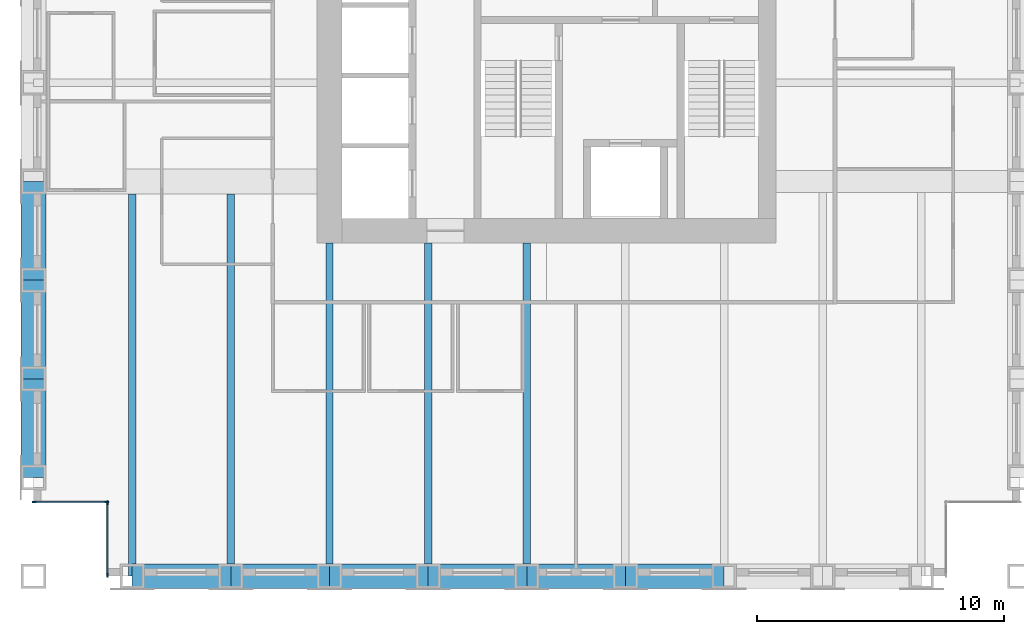
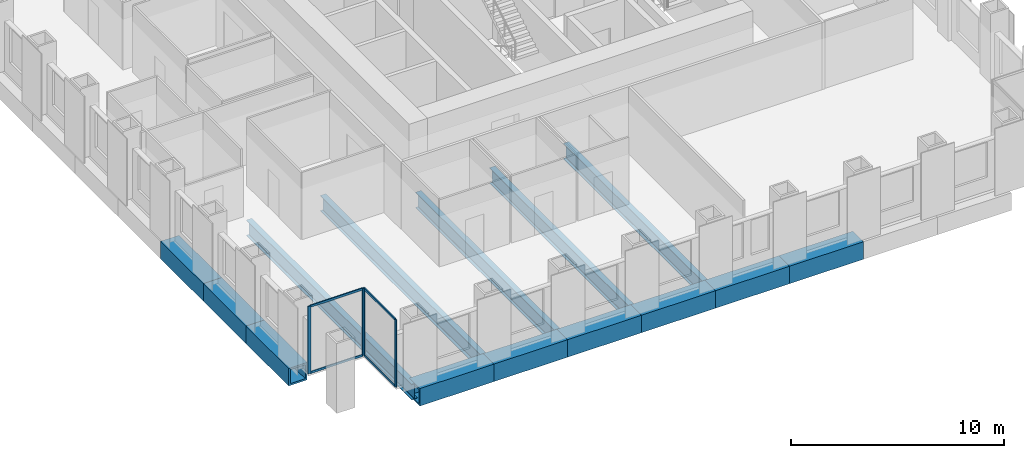
# One storey, part 2 of 13: 14 beams, 8 members, 2 elements without a shape of their own.
"""IFC4 building model written with IfcOpenShell, lengths in metres."""

from ifc_helpers import new_model, si_unit, direction, frame, origin, origin_2d, place, context, subcontext, project, spatial, rectangle, hollow_rectangle, i_section, extrude, material, material_profile, profile_set, type_object, element, aggregate, save


model = new_model("IFC4")

# Units and contexts
model_context = context("Model", 3, precision=1e-05, world=origin(), true_north=direction((0.0, 1.0)))
body_context = subcontext(model_context, "Body", "Model", "MODEL_VIEW")
ifc_project = project(units=[si_unit("LENGTHUNIT", "METRE"), si_unit("AREAUNIT", "SQUARE_METRE"), si_unit("VOLUMEUNIT", "CUBIC_METRE"), si_unit("PLANEANGLEUNIT", "RADIAN"), si_unit("MASSUNIT", "GRAM", prefix="KILO")], contexts=[model_context])

# Site, building, storey
site_placement = place(None, origin())
site = spatial("IfcSite", under=ifc_project, at=site_placement, CompositionType="ELEMENT")
building_placement = place(site_placement, origin())
building = spatial("IfcBuilding", under=site, at=building_placement, Name="Rimbunsela Tower", CompositionType="ELEMENT")
storey_placement = place(building_placement, frame((0.0, 0.0, 290.199951171875)))
storey = spatial("IfcBuildingStorey", under=building, at=storey_placement, Name="L70", CompositionType="ELEMENT", Elevation=290.199951171875)

# Beams
ifc_material_1 = material(Name="Steel BJ 55 (fy 410 MPa)", Category="steel")
ifc_material_profile_1 = material_profile(ifc_material_1, hollow_rectangle(XDim=1.0, YDim=1.0, WallThickness=0.10009765625, at=origin_2d()), Name="BOX 1000x1000x100")
ifc_profile_set_1 = profile_set([ifc_material_profile_1], Name="Steel BJ 55 (fy 410 MPa)")
beam_type_1 = type_object("IfcBeamType", Name="Beam BOX 1000x1000x100", PredefinedType="BEAM", material=ifc_profile_set_1)
for number, where, z_axis, x_axis, name in (
    (1, (6.0, 8.0, -0.64990234375), (0.0, 1.0, 0.0), (-1.0, 0.0, 0.0), "Beam B3 L70"),
    (2, (6.0, 12.0, -0.64990234375), (0.0, 1.0, 0.0), (-1.0, 0.0, 0.0), "Beam B3 L70"),
    (3, (6.0, 16.0, -0.64990234375), (0.0, 1.0, 0.0), (-1.0, 0.0, 0.0), "Beam B3 L70"),
    (4, (10.0, 4.0, -0.64990234375), (1.0, 0.0, 0.0), (0.0, 1.0, 0.0), "Beam B3 L70"),
    (5, (14.0, 4.0, -0.64990234375), (1.0, 0.0, 0.0), (0.0, 1.0, 0.0), "Beam B3 L70"),
    (6, (18.0, 4.0, -0.64990234375), (1.0, 0.0, 0.0), (0.0, 1.0, 0.0), "Beam B3 L70"),
    (7, (22.0, 4.0, -0.64990234375), (1.0, 0.0, 0.0), (0.0, 1.0, 0.0), "Beam B3 L70"),
    (8, (26.0, 4.0, -0.64990234375), (1.0, 0.0, 0.0), (0.0, 1.0, 0.0), "Beam B3 L70"),
    (9, (30.0, 4.0, -0.64990234375), (1.0, 0.0, 0.0), (0.0, 1.0, 0.0), "Beam B3 L70"),
):
    element("IfcBeam", number, at=place(storey_placement, frame(where, z_axis=z_axis, x_axis=x_axis)), inside=storey, type_object=beam_type_1, Name=name, PredefinedType="BEAM", context=body_context, shape_type="SweptSolid", body=[
        extrude(hollow_rectangle(XDim=1.0, YDim=1.0, WallThickness=0.10009765625, at=origin_2d()), origin(), (0.0, 0.0, 1.0), 4.0),
    ])
ifc_material_2 = material(Name="Steel BJ 55 (fy 410 MPa)", Category="steel")
ifc_material_profile_2 = material_profile(ifc_material_2, i_section(OverallWidth=0.300048828125, OverallDepth=0.89990234375, WebThickness=0.01611328125, FlangeThickness=0.028076171875, FilletRadius=0.028076171875, at=origin_2d()), Name="H 900x300x16x28")
ifc_profile_set_2 = profile_set([ifc_material_profile_2], Name="Steel BJ 55 (fy 410 MPa)")
beam_type_2 = type_object("IfcBeamType", Name="Beam H 900x300x16x28", PredefinedType="BEAM", material=ifc_profile_set_2)
for number, where, z_axis, x_axis, name in (
    (10, (10.0, 4.0, -0.599853515625), (0.0, 1.0, 0.0), (-1.0, 0.0, 0.0), "Beam B2 L70"),
    (11, (14.0, 4.0, -0.599853515625), (0.0, 1.0, 0.0), (-1.0, 0.0, 0.0), "Beam B2 L70"),
):
    element("IfcBeam", number, at=place(storey_placement, frame(where, z_axis=z_axis, x_axis=x_axis)), inside=storey, type_object=beam_type_2, Name=name, PredefinedType="BEAM", context=body_context, shape_type="SweptSolid", body=[
        extrude(i_section(OverallWidth=0.300048828125, OverallDepth=0.89990234375, WebThickness=0.01611328125, FlangeThickness=0.028076171875, FilletRadius=0.028076171875, at=origin_2d()), origin(), (0.0, 0.0, 1.0), 15.5),
    ])
for number, where, z_axis, x_axis, name in (
    (12, (18.0, 4.0, -0.599853515625), (0.0, 1.0, 0.0), (-1.0, 0.0, 0.0), "Beam B2 L70"),
    (13, (22.0, 4.0, -0.599853515625), (0.0, 1.0, 0.0), (-1.0, 0.0, 0.0), "Beam B2 L70"),
    (14, (26.0, 4.0, -0.599853515625), (0.0, 1.0, 0.0), (-1.0, 0.0, 0.0), "Beam B2 L70"),
):
    element("IfcBeam", number, at=place(storey_placement, frame(where, z_axis=z_axis, x_axis=x_axis)), inside=storey, type_object=beam_type_2, Name=name, PredefinedType="BEAM", context=body_context, shape_type="SweptSolid", body=[
        extrude(i_section(OverallWidth=0.300048828125, OverallDepth=0.89990234375, WebThickness=0.01611328125, FlangeThickness=0.028076171875, FilletRadius=0.028076171875, at=origin_2d()), origin(), (0.0, 0.0, 1.0), 13.5),
    ])

# Curtain wall, members
ifc_material_3 = material(Name="Aluminium curtain wall", Category="aluminium")
curtain_wall_type = type_object("IfcCurtainWallType", Name="Corner glazing", PredefinedType="USERDEFINED", material=ifc_material_3)
curtain_wall_1_placement = place(storey_placement, origin())
curtain_wall_1 = element("IfcCurtainWall", 15, at=curtain_wall_1_placement, inside=storey, type_object=curtain_wall_type, Name="Corner glazing L70", ObjectType="CORNER GLAZING", PredefinedType="USERDEFINED")
ifc_material_4 = material(Name="Aluminium mullion", Category="aluminium")
ifc_material_profile_3 = material_profile(ifc_material_4, rectangle(XDim=0.06005859375, YDim=0.159912109375, at=origin_2d()), Name="Mullion 60x160")
ifc_profile_set_3 = profile_set([ifc_material_profile_3], Name="Aluminium mullion")
member_type_1 = type_object("IfcMemberType", Name="Curtain wall mullion 60x160", PredefinedType="MULLION", material=ifc_profile_set_3)
member_1_placement = place(storey_placement, frame((6.030029296875, 7.0, 0.0), z_axis=(0.0, 0.0, 1.0), x_axis=(0.0, 1.0, 0.0)))
member_1 = element("IfcMember", 16, at=member_1_placement, type_object=member_type_1, Name="CW5 mullion 1", PredefinedType="MULLION", context=body_context, shape_type="SweptSolid", body=[
    extrude(rectangle(XDim=0.06005859375, YDim=0.159912109375, at=origin_2d()), origin(), (0.0, 0.0, 1.0), 3.85009765625),
])
member_2_placement = place(storey_placement, frame((8.969970703125, 7.0, 0.0), z_axis=(0.0, 0.0, 1.0), x_axis=(0.0, 1.0, 0.0)))
member_2 = element("IfcMember", 17, at=member_2_placement, type_object=member_type_1, Name="CW5 mullion 2", PredefinedType="MULLION", context=body_context, shape_type="SweptSolid", body=[
    extrude(rectangle(XDim=0.06005859375, YDim=0.159912109375, at=origin_2d()), origin(), (0.0, 0.0, 1.0), 3.85009765625),
])

curtain_wall_2_placement = place(storey_placement, origin())
curtain_wall_2 = element("IfcCurtainWall", 18, at=curtain_wall_2_placement, inside=storey, type_object=curtain_wall_type, Name="Corner glazing L70", ObjectType="CORNER GLAZING", PredefinedType="USERDEFINED")
member_3_placement = place(storey_placement, frame((9.0, 6.969970703125, 0.0), z_axis=(0.0, 0.0, 1.0), x_axis=(1.0, 0.0, 0.0)))
member_3 = element("IfcMember", 19, at=member_3_placement, type_object=member_type_1, Name="CW5 mullion 1", PredefinedType="MULLION", context=body_context, shape_type="SweptSolid", body=[
    extrude(rectangle(XDim=0.06005859375, YDim=0.159912109375, at=origin_2d()), origin(), (0.0, 0.0, 1.0), 3.85009765625),
])
member_4_placement = place(storey_placement, frame((9.0, 4.030029296875, 0.0), z_axis=(0.0, 0.0, 1.0), x_axis=(1.0, 0.0, 0.0)))
member_4 = element("IfcMember", 20, at=member_4_placement, type_object=member_type_1, Name="CW5 mullion 2", PredefinedType="MULLION", context=body_context, shape_type="SweptSolid", body=[
    extrude(rectangle(XDim=0.06005859375, YDim=0.159912109375, at=origin_2d()), origin(), (0.0, 0.0, 1.0), 3.85009765625),
])

# Member
ifc_material_5 = material(Name="Aluminium transom", Category="aluminium")
ifc_material_profile_4 = material_profile(ifc_material_5, rectangle(XDim=0.06005859375, YDim=0.1201171875, at=origin_2d()), Name="Transom 60x120")
ifc_profile_set_4 = profile_set([ifc_material_profile_4], Name="Aluminium transom")
member_type_2 = type_object("IfcMemberType", Name="Curtain wall transom 60x120", PredefinedType="USERDEFINED", material=ifc_profile_set_4)
member_5_placement = place(storey_placement, frame((6.06005859375, 7.0, 0.030029296875), z_axis=(1.0, 0.0, 0.0), x_axis=(0.0, 1.0, 0.0)))
member_5 = element("IfcMember", 21, at=member_5_placement, type_object=member_type_2, Name="CW5 transom 1.1", ObjectType="TRANSOM", PredefinedType="USERDEFINED", context=body_context, shape_type="SweptSolid", body=[
    extrude(rectangle(XDim=0.06005859375, YDim=0.1201171875, at=origin_2d()), origin(), (0.0, 0.0, 1.0), 2.8798828125),
])

member_6_placement = place(storey_placement, frame((6.06005859375, 7.0, 3.820068359375), z_axis=(1.0, 0.0, 0.0), x_axis=(0.0, 1.0, 0.0)))
member_6 = element("IfcMember", 22, at=member_6_placement, type_object=member_type_2, Name="CW5 transom 1.2", ObjectType="TRANSOM", PredefinedType="USERDEFINED", context=body_context, shape_type="SweptSolid", body=[
    extrude(rectangle(XDim=0.06005859375, YDim=0.1201171875, at=origin_2d()), origin(), (0.0, 0.0, 1.0), 2.8798828125),
])

aggregate(curtain_wall_1, [member_1, member_2, member_5, member_6])

member_7_placement = place(storey_placement, frame((9.0, 6.93994140625, 0.030029296875), z_axis=(0.0, -1.0, 0.0), x_axis=(1.0, 0.0, 0.0)))
member_7 = element("IfcMember", 23, at=member_7_placement, type_object=member_type_2, Name="CW5 transom 1.1", ObjectType="TRANSOM", PredefinedType="USERDEFINED", context=body_context, shape_type="SweptSolid", body=[
    extrude(rectangle(XDim=0.06005859375, YDim=0.1201171875, at=origin_2d()), origin(), (0.0, 0.0, 1.0), 2.8798828125),
])

member_8_placement = place(storey_placement, frame((9.0, 6.93994140625, 3.820068359375), z_axis=(0.0, -1.0, 0.0), x_axis=(1.0, 0.0, 0.0)))
member_8 = element("IfcMember", 24, at=member_8_placement, type_object=member_type_2, Name="CW5 transom 1.2", ObjectType="TRANSOM", PredefinedType="USERDEFINED", context=body_context, shape_type="SweptSolid", body=[
    extrude(rectangle(XDim=0.06005859375, YDim=0.1201171875, at=origin_2d()), origin(), (0.0, 0.0, 1.0), 2.8798828125),
])

aggregate(curtain_wall_2, [member_3, member_4, member_7, member_8])

save(model, "model.ifc")
